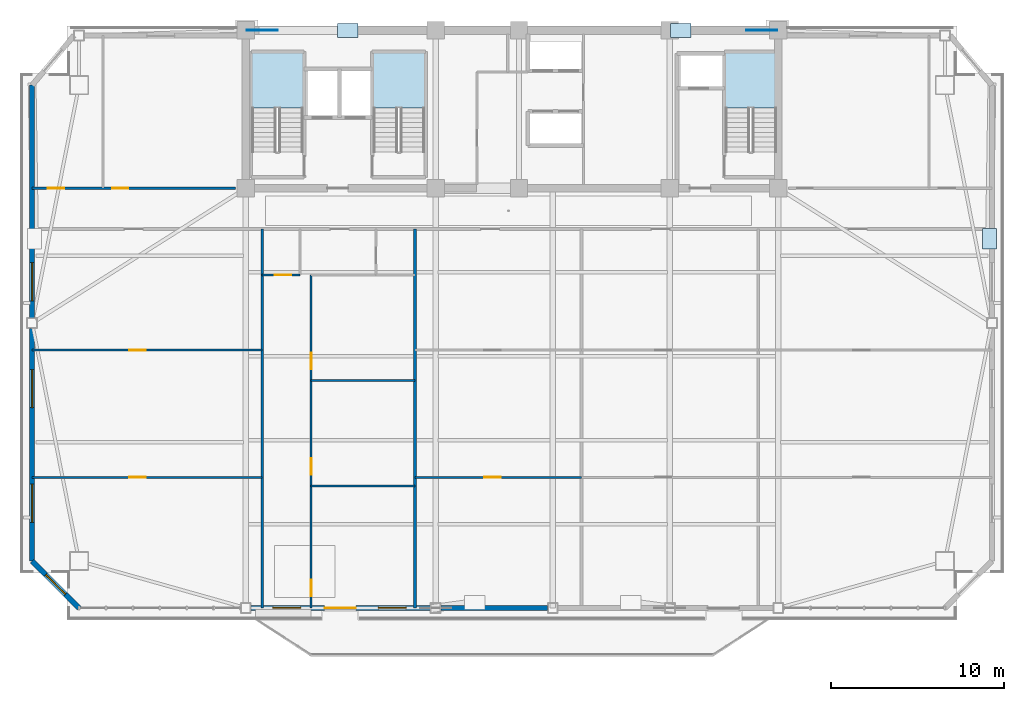
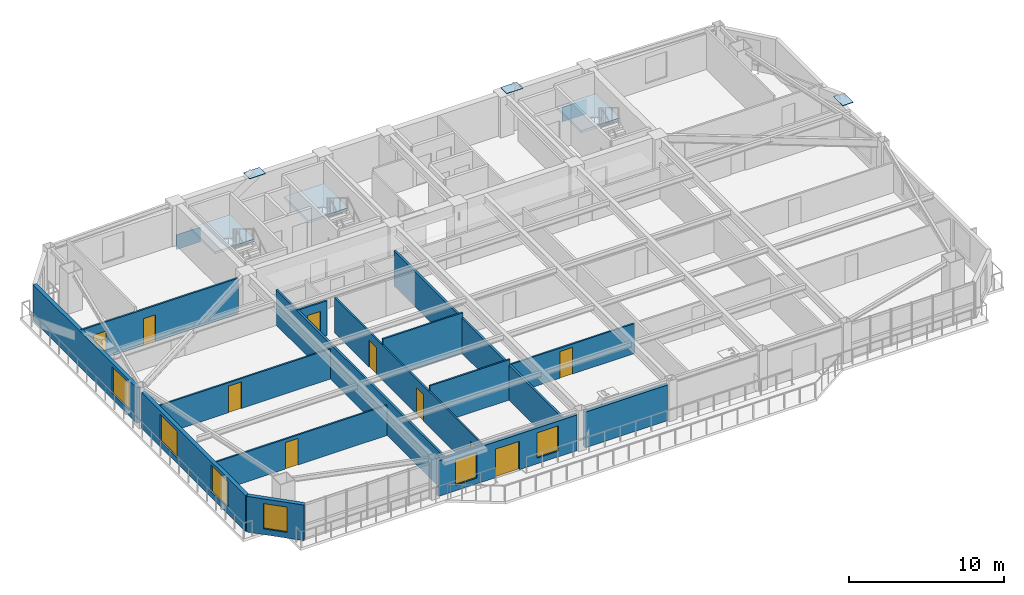
# One storey, part 8 of 16: 15 walls, 10 doors, 6 windows, 5 plates, 3 slabs, 16 openings, 3 elements without a shape of their own.
"""IFC4 building model written with IfcOpenShell, lengths in metres."""

from ifc_helpers import new_model, si_unit, direction, frame, frame_2d, origin, origin_2d, place, context, subcontext, project, spatial, polyline, rectangle, outline, extrude, source, transform, mapped, material, layer, layer_set, type_object, element, fill, aggregate, save


model = new_model("IFC4")

# Units and contexts
model_context = context("Model", 3, precision=1e-05, world=origin(), true_north=direction((0.0, 1.0)))
body_context = subcontext(model_context, "Body", "Model", "MODEL_VIEW")
ifc_project = project(units=[si_unit("LENGTHUNIT", "METRE"), si_unit("AREAUNIT", "SQUARE_METRE"), si_unit("VOLUMEUNIT", "CUBIC_METRE"), si_unit("PLANEANGLEUNIT", "RADIAN"), si_unit("MASSUNIT", "GRAM", prefix="KILO")], contexts=[model_context])

# Site, building, storey
site_placement = place(None, origin())
site = spatial("IfcSite", under=ifc_project, at=site_placement, CompositionType="ELEMENT")
building_placement = place(site_placement, origin())
building = spatial("IfcBuilding", under=site, at=building_placement, Name="Giltprow Tower", CompositionType="ELEMENT")
storey_placement = place(building_placement, frame((0.0, 0.0, 227.0)))
storey = spatial("IfcBuildingStorey", under=building, at=storey_placement, Name="L57", CompositionType="ELEMENT", Elevation=227.0)

# Stair, slab
ifc_material_1 = material(Name="Concrete C40", Category="concrete")
stair_type_1 = type_object("IfcStairType", Name="STR-ST-1", PredefinedType="HALF_TURN_STAIR", material=ifc_material_1)
stair_1_placement = place(storey_placement, origin())
stair_1 = element("IfcStair", 1, at=stair_1_placement, inside=storey, type_object=stair_type_1, Name="L57 Core Exit Stair ST-1", PredefinedType="HALF_TURN_STAIR")
ifc_layer_1 = layer(ifc_material_1, 0.179931640625, Name="Concrete C40")
ifc_layer_set_1 = layer_set([ifc_layer_1], Name="Concrete C40")
slab_type_1 = type_object("IfcSlabType", Name="SLD-ST-1", PredefinedType="LANDING", material=ifc_layer_set_1)
slab_1_placement = place(storey_placement, frame((0.0, 0.0, 1.52001953125)))
slab_1 = element("IfcSlab", 2, at=slab_1_placement, type_object=slab_type_1, Name="ST-1 landing 1", PredefinedType="LANDING", context=body_context, shape_type="SweptSolid", body=[
    extrude(outline(polyline([(23.159912109375, 42.070068359375), (23.159912109375, 45.25), (20.199951171875, 45.25), (20.199951171875, 42.070068359375), (23.159912109375, 42.070068359375)])), origin(), (0.0, 0.0, 1.0), 0.179931640625),
])
aggregate(stair_1, [slab_1])

stair_type_2 = type_object("IfcStairType", Name="STR-ST-2", PredefinedType="HALF_TURN_STAIR", material=ifc_material_1)
stair_2_placement = place(storey_placement, origin())
stair_2 = element("IfcStair", 3, at=stair_2_placement, inside=storey, type_object=stair_type_2, Name="L57 Core Exit Stair ST-2", PredefinedType="HALF_TURN_STAIR")
ifc_layer_2 = layer(ifc_material_1, 0.18798828125, Name="Concrete C40")
ifc_layer_set_2 = layer_set([ifc_layer_2], Name="Concrete C40")
slab_type_2 = type_object("IfcSlabType", Name="SLD-ST-2", PredefinedType="LANDING", material=ifc_layer_set_2)
slab_2_placement = place(storey_placement, frame((0.0, 0.0, 1.511962890625)))
slab_2 = element("IfcSlab", 4, at=slab_2_placement, type_object=slab_type_2, Name="ST-2 landing 1", PredefinedType="LANDING", context=body_context, shape_type="SweptSolid", body=[
    extrude(outline(polyline([(30.159912109375, 42.070068359375), (30.159912109375, 45.25), (27.199951171875, 45.25), (27.199951171875, 42.070068359375), (30.159912109375, 42.070068359375)])), origin(), (0.0, 0.0, 1.0), 0.18798828125),
])
aggregate(stair_2, [slab_2])

stair_type_3 = type_object("IfcStairType", Name="STR-ST-3", PredefinedType="HALF_TURN_STAIR", material=ifc_material_1)
stair_3_placement = place(storey_placement, origin())
stair_3 = element("IfcStair", 5, at=stair_3_placement, inside=storey, type_object=stair_type_3, Name="L57 Core Exit Stair ST-3", PredefinedType="HALF_TURN_STAIR")
ifc_layer_3 = layer(ifc_material_1, 0.196044921875, Name="Concrete C40")
ifc_layer_set_3 = layer_set([ifc_layer_3], Name="Concrete C40")
slab_type_3 = type_object("IfcSlabType", Name="SLD-ST-3", PredefinedType="LANDING", material=ifc_layer_set_3)
slab_3_placement = place(storey_placement, frame((0.0, 0.0, 1.50390625)))
slab_3 = element("IfcSlab", 6, at=slab_3_placement, type_object=slab_type_3, Name="ST-3 landing 1", PredefinedType="LANDING", context=body_context, shape_type="SweptSolid", body=[
    extrude(outline(polyline([(50.4599609375, 42.070068359375), (50.4599609375, 45.25), (47.5, 45.25), (47.5, 42.070068359375), (50.4599609375, 42.070068359375)])), origin(), (0.0, 0.0, 1.0), 0.196044921875),
])
aggregate(stair_3, [slab_3])

# Plates
ifc_material_2 = material(Name="Structural steel Q420GJC", Category="steel")
plate_type_1 = type_object("IfcPlateType", Name="PLT-NODE-MBN1", PredefinedType="USERDEFINED", material=ifc_material_2)
shared_shape_1 = source(origin(), body_context, "Body", "SweptSolid", [
    extrude(rectangle(XDim=1.800048828125, YDim=0.050048828125, at=origin_2d()), origin(), (0.0, 0.0, 1.0), 1.14990234375),
])
for number, where, z_axis, x_axis, name in (
    (7, (20.800048828125, 46.550048828125, -0.71484375), (0.0, 0.0, 1.0), (1.0, 0.0, 0.0), "Mega-Brace Node L57-N-LA"),
    (8, (49.60009765625, 46.550048828125, -0.71484375), (0.0, 0.0, 1.0), (1.0, 0.0, 0.0), "Mega-Brace Node L57-N-RA"),
):
    element("IfcPlate", number, at=place(storey_placement, frame(where, z_axis=z_axis, x_axis=x_axis)), inside=storey, type_object=plate_type_1, Name=name, ObjectType="GUSSET", PredefinedType="USERDEFINED", context=body_context, shape_type="MappedRepresentation", body=[
        mapped(shared_shape_1, transform((0.0, 0.0, 0.0), x_axis=(1.0, 0.0, 0.0), y_axis=(0.0, 1.0, 0.0), z_axis=(0.0, 0.0, 1.0), scale=1.0)),
    ])
plate_type_2 = type_object("IfcPlateType", Name="PLT-CAP-SEAL", PredefinedType="USERDEFINED", material=ifc_material_2)
shared_shape_2 = source(origin(), body_context, "Body", "SweptSolid", [
    extrude(rectangle(XDim=1.199951171875, YDim=0.800048828125, at=origin_2d()), origin(), (0.0, 0.0, 1.0), 0.034912109375),
])
for number, where, z_axis, x_axis, name in (
    (9, (25.73291015625, 46.550048828125, 3.24267578125), (0.0, 0.0, 1.0), (1.0, 0.0, 0.0), "Mega-Brace Node L57-N-LB"),
    (10, (44.93310546875, 46.550048828125, 3.24267578125), (0.0, 0.0, 1.0), (1.0, 0.0, 0.0), "Mega-Brace Node L57-N-RB"),
    (11, (62.72900390625, 34.54296875, 3.38232421875), (0.0, 0.0, 1.0), (0.0, 1.0, 0.0), "Mega-Brace Node L57-E-DB"),
):
    element("IfcPlate", number, at=place(storey_placement, frame(where, z_axis=z_axis, x_axis=x_axis)), inside=storey, type_object=plate_type_2, Name=name, ObjectType="SPLICE", PredefinedType="USERDEFINED", context=body_context, shape_type="MappedRepresentation", body=[
        mapped(shared_shape_2, transform((0.0, 0.0, 0.0), x_axis=(1.0, 0.0, 0.0), y_axis=(0.0, 1.0, 0.0), z_axis=(0.0, 0.0, 1.0), scale=1.0)),
    ])

# Wall, opening, window
ifc_material_3 = material(Name="Precast concrete C40", Category="concrete")
ifc_layer_4 = layer(ifc_material_3, 0.300048828125, Name="Precast concrete C40")
ifc_layer_set_4 = layer_set([ifc_layer_4], Name="Precast concrete C40")
wall_type_1 = type_object("IfcWallType", Name="EW-NOTCH-CHAMFER-300", PredefinedType="SOLIDWALL", material=ifc_layer_set_4)
wall_1_placement = place(storey_placement, frame((7.532958984375, 15.95703125, 0.0), z_axis=(0.0, 0.0, 1.0), x_axis=(0.707106781187, -0.707106781187, 0.0)))
wall_1 = element("IfcWall", 12, at=wall_1_placement, inside=storey, type_object=wall_type_1, Name="L57 Corner Notch Wall SW", PredefinedType="SOLIDWALL", context=body_context, shape_type="SweptSolid", body=[
    extrude(rectangle(XDim=3.828369140625, YDim=0.300048828125, at=frame_2d((1.9140625, 0.0))), origin(), (0.0, 0.0, 1.0), 2.81494140625),
])
opening_1_placement = place(wall_1_placement, frame((1.114013671875, 0.0, 0.449951171875)))
opening_1 = element("IfcOpeningElement", 13, at=opening_1_placement, cuts=wall_1, Name="Opening WN17", PredefinedType="OPENING", context=body_context, shape_type="SweptSolid", body=[
    extrude(rectangle(XDim=1.60009765625, YDim=2.0, at=frame_2d((0.800048828125, 1.0))), frame((0.0, 0.159912109375, 0.0), z_axis=(0.0, -1.0, 0.0), x_axis=(1.0, 0.0, 0.0)), (0.0, 0.0, 1.0), 0.320068359375),
])
ifc_material_4 = material(Name="Insulated glass", Category="glass")
window_type_1 = type_object("IfcWindowType", Name="WN-COR-1600x2000", PartitioningType="SINGLE_PANEL", PredefinedType="WINDOW", material=ifc_material_4)
shared_shape_3 = source(origin(), body_context, "Body", "SweptSolid", [
    extrude(rectangle(XDim=1.60009765625, YDim=2.0, at=frame_2d((0.800048828125, 1.0))), frame((0.0, 0.030029296875, 0.0), z_axis=(0.0, -1.0, 0.0), x_axis=(1.0, 0.0, 0.0)), (0.0, 0.0, 1.0), 0.06005859375),
])
window_1_placement = place(opening_1_placement, origin())
window_1 = element("IfcWindow", 14, at=window_1_placement, inside=storey, type_object=window_type_1, Name="L57 Corner Notch Window SW", OverallHeight=2.0, OverallWidth=1.60009765625, PartitioningType="SINGLE_PANEL", PredefinedType="WINDOW", context=body_context, shape_type="MappedRepresentation", body=[
    mapped(shared_shape_3, transform((0.0, 0.0, 0.0), x_axis=(1.0, 0.0, 0.0), y_axis=(0.0, 1.0, 0.0), z_axis=(0.0, 0.0, 1.0), scale=1.0)),
])
fill(opening_1, window_1)

# Wall, openings, windows, door
ifc_layer_5 = layer(ifc_material_3, 0.280029296875, Name="Precast concrete C40")
ifc_layer_set_5 = layer_set([ifc_layer_5], Name="Precast concrete C40")
wall_type_2 = type_object("IfcWallType", Name="EW-TOW-BRONZE-280", PredefinedType="SOLIDWALL", material=ifc_layer_set_5)
wall_2_placement = place(storey_placement, frame((20.14990234375, 13.25, 0.0), z_axis=(0.0, 0.0, 1.0), x_axis=(1.0, 0.0, 0.0)))
wall_2 = element("IfcWall", 15, at=wall_2_placement, inside=storey, type_object=wall_type_2, Name="L57 South Expressed Frame Wall 2", PredefinedType="SOLIDWALL", context=body_context, shape_type="SweptSolid", body=[
    extrude(rectangle(XDim=10.35009765625, YDim=0.280029296875, at=frame_2d((5.175048828125, 0.0))), origin(), (0.0, 0.0, 1.0), 2.81494140625),
])
opening_2_placement = place(wall_2_placement, frame((4.25, 0.0, 0.0)))
opening_2 = element("IfcOpeningElement", 16, at=opening_2_placement, cuts=wall_2, Name="Opening ED25", PredefinedType="OPENING", context=body_context, shape_type="SweptSolid", body=[
    extrude(rectangle(XDim=1.800048828125, YDim=2.25, at=frame_2d((0.89990234375, 1.125))), frame((0.0, 0.14990234375, 0.0), z_axis=(0.0, -1.0, 0.0), x_axis=(1.0, 0.0, 0.0)), (0.0, 0.0, 1.0), 0.300048828125),
])
opening_3_placement = place(wall_2_placement, frame((1.27001953125, 0.0, 0.449951171875)))
opening_3 = element("IfcOpeningElement", 17, at=opening_3_placement, cuts=wall_2, Name="Opening WN17", PredefinedType="OPENING", context=body_context, shape_type="SweptSolid", body=[
    extrude(rectangle(XDim=1.60009765625, YDim=2.0, at=frame_2d((0.800048828125, 1.0))), frame((0.0, 0.14990234375, 0.0), z_axis=(0.0, -1.0, 0.0), x_axis=(1.0, 0.0, 0.0)), (0.0, 0.0, 1.0), 0.300048828125),
])
opening_4_placement = place(wall_2_placement, frame((7.35009765625, 0.0, 0.449951171875)))
opening_4 = element("IfcOpeningElement", 18, at=opening_4_placement, cuts=wall_2, Name="Opening WN17", PredefinedType="OPENING", context=body_context, shape_type="SweptSolid", body=[
    extrude(rectangle(XDim=1.60009765625, YDim=2.0, at=frame_2d((0.800048828125, 1.0))), frame((0.0, 0.14990234375, 0.0), z_axis=(0.0, -1.0, 0.0), x_axis=(1.0, 0.0, 0.0)), (0.0, 0.0, 1.0), 0.300048828125),
])
window_2_placement = place(opening_3_placement, origin())
window_2 = element("IfcWindow", 19, at=window_2_placement, inside=storey, type_object=window_type_1, Name="L57 South Window 2A", OverallHeight=2.0, OverallWidth=1.60009765625, PartitioningType="SINGLE_PANEL", PredefinedType="WINDOW", context=body_context, shape_type="MappedRepresentation", body=[
    mapped(shared_shape_3, transform((0.0, 0.0, 0.0), x_axis=(1.0, 0.0, 0.0), y_axis=(0.0, 1.0, 0.0), z_axis=(0.0, 0.0, 1.0), scale=1.0)),
])
fill(opening_3, window_2)
window_3_placement = place(opening_4_placement, origin())
window_3 = element("IfcWindow", 20, at=window_3_placement, inside=storey, type_object=window_type_1, Name="L57 South Window 2B", OverallHeight=2.0, OverallWidth=1.60009765625, PartitioningType="SINGLE_PANEL", PredefinedType="WINDOW", context=body_context, shape_type="MappedRepresentation", body=[
    mapped(shared_shape_3, transform((0.0, 0.0, 0.0), x_axis=(1.0, 0.0, 0.0), y_axis=(0.0, 1.0, 0.0), z_axis=(0.0, 0.0, 1.0), scale=1.0)),
])
fill(opening_4, window_3)
ifc_material_5 = material(Name="Anodized bronze and glass", Category="glass")
door_type_1 = type_object("IfcDoorType", Name="DR-BALC-SLIDE-1800", OperationType="SLIDING_TO_LEFT", PredefinedType="DOOR", material=ifc_material_5)
shared_shape_4 = source(origin(), body_context, "Body", "SweptSolid", [
    extrude(rectangle(XDim=1.800048828125, YDim=2.25, at=frame_2d((0.89990234375, 1.125))), frame((0.0, 0.02490234375, 0.0), z_axis=(0.0, -1.0, 0.0), x_axis=(1.0, 0.0, 0.0)), (0.0, 0.0, 1.0), 0.050048828125),
])
door_1_placement = place(opening_2_placement, origin())
door_1 = element("IfcDoor", 21, at=door_1_placement, inside=storey, type_object=door_type_1, Name="L57 Waterfront Balcony Sliding Door 1", OperationType="SLIDING_TO_LEFT", OverallHeight=2.25, OverallWidth=1.800048828125, PredefinedType="DOOR", context=body_context, shape_type="MappedRepresentation", body=[
    mapped(shared_shape_4, transform((0.0, 0.0, 0.0), x_axis=(1.0, 0.0, 0.0), y_axis=(0.0, 1.0, 0.0), z_axis=(0.0, 0.0, 1.0), scale=1.0)),
])
fill(opening_2, door_1)

# Wall
wall_3_placement = place(storey_placement, frame((31.10009765625, 13.25, 0.0), z_axis=(0.0, 0.0, 1.0), x_axis=(1.0, 0.0, 0.0)))
element("IfcWall", 22, at=wall_3_placement, inside=storey, type_object=wall_type_2, Name="L57 South Expressed Frame Wall 3", PredefinedType="SOLIDWALL", context=body_context, shape_type="SweptSolid", body=[
    extrude(rectangle(XDim=6.14990234375, YDim=0.280029296875, at=frame_2d((3.074951171875, 0.0))), origin(), (0.0, 0.0, 1.0), 2.81494140625),
])

# Wall, openings, windows
wall_4_placement = place(storey_placement, frame((7.532958984375, 15.95703125, 0.0), z_axis=(0.0, 0.0, 1.0), x_axis=(0.0, 1.0, 0.0)))
wall_4 = element("IfcWall", 23, at=wall_4_placement, inside=storey, type_object=wall_type_2, Name="L57 W Wing Masonry Wall 1", PredefinedType="SOLIDWALL", context=body_context, shape_type="SweptSolid", body=[
    extrude(rectangle(XDim=13.41796875, YDim=0.280029296875, at=frame_2d((6.708984375, 0.0))), origin(), (0.0, 0.0, 1.0), 2.81494140625),
])
opening_5_placement = place(wall_4_placement, frame((2.22705078125, 0.0, 0.449951171875)))
opening_5 = element("IfcOpeningElement", 24, at=opening_5_placement, cuts=wall_4, Name="Opening WN27", PredefinedType="OPENING", context=body_context, shape_type="SweptSolid", body=[
    extrude(rectangle(XDim=2.199951171875, YDim=2.10009765625, at=frame_2d((1.10009765625, 1.050048828125))), frame((0.0, 0.14990234375, 0.0), z_axis=(0.0, -1.0, 0.0), x_axis=(1.0, 0.0, 0.0)), (0.0, 0.0, 1.0), 0.300048828125),
])
opening_6_placement = place(wall_4_placement, frame((8.837890625, 0.0, 0.449951171875)))
opening_6 = element("IfcOpeningElement", 25, at=opening_6_placement, cuts=wall_4, Name="Opening WN27", PredefinedType="OPENING", context=body_context, shape_type="SweptSolid", body=[
    extrude(rectangle(XDim=2.199951171875, YDim=2.10009765625, at=frame_2d((1.10009765625, 1.050048828125))), frame((0.0, 0.14990234375, 0.0), z_axis=(0.0, -1.0, 0.0), x_axis=(1.0, 0.0, 0.0)), (0.0, 0.0, 1.0), 0.300048828125),
])
window_type_2 = type_object("IfcWindowType", Name="WN-RES-2200x2100", PartitioningType="TRIPLE_PANEL_VERTICAL", PredefinedType="WINDOW", material=ifc_material_4)
shared_shape_5 = source(origin(), body_context, "Body", "SweptSolid", [
    extrude(rectangle(XDim=2.199951171875, YDim=2.10009765625, at=frame_2d((1.10009765625, 1.050048828125))), frame((0.0, 0.030029296875, 0.0), z_axis=(0.0, -1.0, 0.0), x_axis=(1.0, 0.0, 0.0)), (0.0, 0.0, 1.0), 0.06005859375),
])
window_4_placement = place(opening_5_placement, origin())
window_4 = element("IfcWindow", 26, at=window_4_placement, inside=storey, type_object=window_type_2, Name="L57 W Wing Window 1-1A", OverallHeight=2.10009765625, OverallWidth=2.199951171875, PartitioningType="SINGLE_PANEL", PredefinedType="WINDOW", context=body_context, shape_type="MappedRepresentation", body=[
    mapped(shared_shape_5, transform((0.0, 0.0, 0.0), x_axis=(1.0, 0.0, 0.0), y_axis=(0.0, 1.0, 0.0), z_axis=(0.0, 0.0, 1.0), scale=1.0)),
])
fill(opening_5, window_4)
window_5_placement = place(opening_6_placement, origin())
window_5 = element("IfcWindow", 27, at=window_5_placement, inside=storey, type_object=window_type_2, Name="L57 W Wing Window 1-1B", OverallHeight=2.10009765625, OverallWidth=2.199951171875, PartitioningType="SINGLE_PANEL", PredefinedType="WINDOW", context=body_context, shape_type="MappedRepresentation", body=[
    mapped(shared_shape_5, transform((0.0, 0.0, 0.0), x_axis=(1.0, 0.0, 0.0), y_axis=(0.0, 1.0, 0.0), z_axis=(0.0, 0.0, 1.0), scale=1.0)),
])
fill(opening_6, window_5)

# Wall, opening, window
wall_5_placement = place(storey_placement, frame((7.532958984375, 29.97509765625, 0.0), z_axis=(0.0, 0.0, 1.0), x_axis=(0.0, 1.0, 0.0)))
wall_5 = element("IfcWall", 28, at=wall_5_placement, inside=storey, type_object=wall_type_2, Name="L57 W Wing Masonry Wall 2", PredefinedType="SOLIDWALL", context=body_context, shape_type="SweptSolid", body=[
    extrude(rectangle(XDim=13.41796875, YDim=0.280029296875, at=frame_2d((6.708984375, 0.0))), origin(), (0.0, 0.0, 1.0), 2.81494140625),
])
opening_7_placement = place(wall_5_placement, frame((0.98388671875, 0.0, 0.449951171875)))
opening_7 = element("IfcOpeningElement", 29, at=opening_7_placement, cuts=wall_5, Name="Opening WN27", PredefinedType="OPENING", context=body_context, shape_type="SweptSolid", body=[
    extrude(rectangle(XDim=2.199951171875, YDim=2.10009765625, at=frame_2d((1.10009765625, 1.050048828125))), frame((0.0, 0.14990234375, 0.0), z_axis=(0.0, -1.0, 0.0), x_axis=(1.0, 0.0, 0.0)), (0.0, 0.0, 1.0), 0.300048828125),
])
window_6_placement = place(opening_7_placement, origin())
window_6 = element("IfcWindow", 30, at=window_6_placement, inside=storey, type_object=window_type_2, Name="L57 W Wing Window 2-1", OverallHeight=2.10009765625, OverallWidth=2.199951171875, PartitioningType="SINGLE_PANEL", PredefinedType="WINDOW", context=body_context, shape_type="MappedRepresentation", body=[
    mapped(shared_shape_5, transform((0.0, 0.0, 0.0), x_axis=(1.0, 0.0, 0.0), y_axis=(0.0, 1.0, 0.0), z_axis=(0.0, 0.0, 1.0), scale=1.0)),
])
fill(opening_7, window_6)

# Walls
ifc_material_6 = material(Name="Gypsum stud partition", Category="gypsum")
ifc_layer_6 = layer(ifc_material_6, 0.159912109375, Name="Gypsum stud partition")
ifc_layer_set_6 = layer_set([ifc_layer_6], Name="Gypsum stud partition")
wall_type_3 = type_object("IfcWallType", Name="IW-DEMISE-160", PredefinedType="PARTITIONING", material=ifc_layer_set_6)
for number, where, z_axis, x_axis, name in (
    (31, (20.800048828125, 13.25, 0.0), (0.0, 0.0, 1.0), (0.0, 1.0, 0.0), "L57 Apartment Party Wall 1"),
    (32, (29.60009765625, 13.25, 0.0), (0.0, 0.0, 1.0), (0.0, 1.0, 0.0), "L57 Apartment Party Wall 2"),
):
    element("IfcWall", number, at=place(storey_placement, frame(where, z_axis=z_axis, x_axis=x_axis)), inside=storey, type_object=wall_type_3, Name=name, PredefinedType="PARTITIONING", context=body_context, shape_type="SweptSolid", body=[
        extrude(rectangle(XDim=21.85009765625, YDim=0.159912109375, at=frame_2d((10.925048828125, 0.0))), origin(), (0.0, 0.0, 1.0), 2.77001953125),
    ])

# Wall, opening, door
ifc_layer_7 = layer(ifc_material_6, 0.1201171875, Name="Gypsum stud partition")
ifc_layer_set_7 = layer_set([ifc_layer_7], Name="Gypsum stud partition")
wall_type_4 = type_object("IfcWallType", Name="IW-ROOM-120", PredefinedType="PARTITIONING", material=ifc_layer_set_7)
wall_6_placement = place(storey_placement, frame((7.532958984375, 20.783935546875, 0.0), z_axis=(0.0, 0.0, 1.0), x_axis=(1.0, 0.0, 0.0)))
wall_6 = element("IfcWall", 33, at=wall_6_placement, inside=storey, type_object=wall_type_4, Name="L57 Special Split 1", PredefinedType="PARTITIONING", context=body_context, shape_type="SweptSolid", body=[
    extrude(rectangle(XDim=13.26708984375, YDim=0.1201171875, at=frame_2d((6.633544921875, 0.0))), origin(), (0.0, 0.0, 1.0), 2.3701171875),
])
opening_8_placement = place(wall_6_placement, frame((5.593017578125, 0.0, 0.0)))
opening_8 = element("IfcOpeningElement", 34, at=opening_8_placement, cuts=wall_6, Name="Opening ID11", PredefinedType="OPENING", context=body_context, shape_type="SweptSolid", body=[
    extrude(rectangle(XDim=0.949951171875, YDim=2.10009765625, at=frame_2d((0.47509765625, 1.050048828125))), frame((0.0, 0.070068359375, 0.0), z_axis=(0.0, -1.0, 0.0), x_axis=(1.0, 0.0, 0.0)), (0.0, 0.0, 1.0), 0.14013671875),
])
ifc_material_7 = material(Name="Engineered timber", Category="wood")
door_type_2 = type_object("IfcDoorType", Name="DR-ROOM-950", OperationType="SINGLE_SWING_RIGHT", PredefinedType="DOOR", material=ifc_material_7)
shared_shape_6 = source(origin(), body_context, "Body", "SweptSolid", [
    extrude(rectangle(XDim=0.949951171875, YDim=2.10009765625, at=frame_2d((0.47509765625, 1.050048828125))), frame((0.0, 0.02490234375, 0.0), z_axis=(0.0, -1.0, 0.0), x_axis=(1.0, 0.0, 0.0)), (0.0, 0.0, 1.0), 0.050048828125),
])
door_2_placement = place(opening_8_placement, origin())
door_2 = element("IfcDoor", 35, at=door_2_placement, inside=storey, type_object=door_type_2, Name="L57 Harbour Lounge Salon South Door", OperationType="SINGLE_SWING_RIGHT", OverallHeight=2.10009765625, OverallWidth=0.949951171875, PredefinedType="DOOR", context=body_context, shape_type="MappedRepresentation", body=[
    mapped(shared_shape_6, transform((0.0, 0.0, 0.0), x_axis=(1.0, 0.0, 0.0), y_axis=(0.0, 1.0, 0.0), z_axis=(0.0, 0.0, 1.0), scale=1.0)),
])
fill(opening_8, door_2)

wall_7_placement = place(storey_placement, frame((7.532958984375, 28.117919921875, 0.0), z_axis=(0.0, 0.0, 1.0), x_axis=(1.0, 0.0, 0.0)))
wall_7 = element("IfcWall", 36, at=wall_7_placement, inside=storey, type_object=wall_type_4, Name="L57 Special Split 2", PredefinedType="PARTITIONING", context=body_context, shape_type="SweptSolid", body=[
    extrude(rectangle(XDim=13.26708984375, YDim=0.1201171875, at=frame_2d((6.633544921875, 0.0))), origin(), (0.0, 0.0, 1.0), 2.3701171875),
])
opening_9_placement = place(wall_7_placement, frame((5.593017578125, 0.0, 0.0)))
opening_9 = element("IfcOpeningElement", 37, at=opening_9_placement, cuts=wall_7, Name="Opening ID11", PredefinedType="OPENING", context=body_context, shape_type="SweptSolid", body=[
    extrude(rectangle(XDim=0.949951171875, YDim=2.10009765625, at=frame_2d((0.47509765625, 1.050048828125))), frame((0.0, 0.070068359375, 0.0), z_axis=(0.0, -1.0, 0.0), x_axis=(1.0, 0.0, 0.0)), (0.0, 0.0, 1.0), 0.14013671875),
])
door_3_placement = place(opening_9_placement, origin())
door_3 = element("IfcDoor", 38, at=door_3_placement, inside=storey, type_object=door_type_2, Name="L57 Harbour Lounge Salon Mid Door", OperationType="SINGLE_SWING_LEFT", OverallHeight=2.10009765625, OverallWidth=0.949951171875, PredefinedType="DOOR", context=body_context, shape_type="MappedRepresentation", body=[
    mapped(shared_shape_6, transform((0.0, 0.0, 0.0), x_axis=(1.0, 0.0, 0.0), y_axis=(0.0, 1.0, 0.0), z_axis=(0.0, 0.0, 1.0), scale=1.0)),
])
fill(opening_9, door_3)

# Wall, openings, doors
wall_8_placement = place(storey_placement, frame((23.6201171875, 13.25, 0.0), z_axis=(0.0, 0.0, 1.0), x_axis=(0.0, 1.0, 0.0)))
wall_8 = element("IfcWall", 39, at=wall_8_placement, inside=storey, type_object=wall_type_4, Name="L57 Unit 1 Bedroom Wall", PredefinedType="PARTITIONING", context=body_context, shape_type="SweptSolid", body=[
    extrude(rectangle(XDim=19.199951171875, YDim=0.1201171875, at=frame_2d((9.60009765625, 0.0))), origin(), (0.0, 0.0, 1.0), 2.77001953125),
])
opening_10_placement = place(wall_8_placement, frame((0.669921875, 0.0, 0.0)))
opening_10 = element("IfcOpeningElement", 40, at=opening_10_placement, cuts=wall_8, Name="Opening ID11", PredefinedType="OPENING", context=body_context, shape_type="SweptSolid", body=[
    extrude(rectangle(XDim=0.949951171875, YDim=2.10009765625, at=frame_2d((0.47509765625, 1.050048828125))), frame((0.0, 0.070068359375, 0.0), z_axis=(0.0, -1.0, 0.0), x_axis=(1.0, 0.0, 0.0)), (0.0, 0.0, 1.0), 0.14013671875),
])
opening_11_placement = place(wall_8_placement, frame((7.679931640625, 0.0, 0.0)))
opening_11 = element("IfcOpeningElement", 41, at=opening_11_placement, cuts=wall_8, Name="Opening ID11", PredefinedType="OPENING", context=body_context, shape_type="SweptSolid", body=[
    extrude(rectangle(XDim=0.949951171875, YDim=2.10009765625, at=frame_2d((0.47509765625, 1.050048828125))), frame((0.0, 0.070068359375, 0.0), z_axis=(0.0, -1.0, 0.0), x_axis=(1.0, 0.0, 0.0)), (0.0, 0.0, 1.0), 0.14013671875),
])
opening_12_placement = place(wall_8_placement, frame((13.760009765625, 0.0, 0.0)))
opening_12 = element("IfcOpeningElement", 42, at=opening_12_placement, cuts=wall_8, Name="Opening ID11", PredefinedType="OPENING", context=body_context, shape_type="SweptSolid", body=[
    extrude(rectangle(XDim=0.949951171875, YDim=2.10009765625, at=frame_2d((0.47509765625, 1.050048828125))), frame((0.0, 0.070068359375, 0.0), z_axis=(0.0, -1.0, 0.0), x_axis=(1.0, 0.0, 0.0)), (0.0, 0.0, 1.0), 0.14013671875),
])
door_4_placement = place(opening_10_placement, origin())
door_4 = element("IfcDoor", 43, at=door_4_placement, inside=storey, type_object=door_type_2, Name="L57 Unit 1 Primary Bedroom Door", OperationType="SINGLE_SWING_RIGHT", OverallHeight=2.10009765625, OverallWidth=0.949951171875, PredefinedType="DOOR", context=body_context, shape_type="MappedRepresentation", body=[
    mapped(shared_shape_6, transform((0.0, 0.0, 0.0), x_axis=(1.0, 0.0, 0.0), y_axis=(0.0, 1.0, 0.0), z_axis=(0.0, 0.0, 1.0), scale=1.0)),
])
fill(opening_10, door_4)
door_5_placement = place(opening_11_placement, origin())
door_5 = element("IfcDoor", 44, at=door_5_placement, inside=storey, type_object=door_type_2, Name="L57 Unit 1 Second Bedroom Door", OperationType="SINGLE_SWING_LEFT", OverallHeight=2.10009765625, OverallWidth=0.949951171875, PredefinedType="DOOR", context=body_context, shape_type="MappedRepresentation", body=[
    mapped(shared_shape_6, transform((0.0, 0.0, 0.0), x_axis=(1.0, 0.0, 0.0), y_axis=(0.0, 1.0, 0.0), z_axis=(0.0, 0.0, 1.0), scale=1.0)),
])
fill(opening_11, door_5)
door_6_placement = place(opening_12_placement, origin())
door_6 = element("IfcDoor", 45, at=door_6_placement, inside=storey, type_object=door_type_2, Name="L57 Unit 1 Third Bedroom Door", OperationType="SINGLE_SWING_RIGHT", OverallHeight=2.10009765625, OverallWidth=0.949951171875, PredefinedType="DOOR", context=body_context, shape_type="MappedRepresentation", body=[
    mapped(shared_shape_6, transform((0.0, 0.0, 0.0), x_axis=(1.0, 0.0, 0.0), y_axis=(0.0, 1.0, 0.0), z_axis=(0.0, 0.0, 1.0), scale=1.0)),
])
fill(opening_12, door_6)

# Walls
for number, where, z_axis, x_axis, name in (
    (46, (23.6201171875, 20.2900390625, 0.0), (0.0, 0.0, 1.0), (1.0, 0.0, 0.0), "L57 Unit 1 Bedroom Split 1"),
    (47, (23.6201171875, 26.3701171875, 0.0), (0.0, 0.0, 1.0), (1.0, 0.0, 0.0), "L57 Unit 1 Bedroom Split 2"),
):
    element("IfcWall", number, at=place(storey_placement, frame(where, z_axis=z_axis, x_axis=x_axis)), inside=storey, type_object=wall_type_4, Name=name, PredefinedType="PARTITIONING", context=body_context, shape_type="SweptSolid", body=[
        extrude(rectangle(XDim=5.97998046875, YDim=0.1201171875, at=frame_2d((2.989990234375, 0.0))), origin(), (0.0, 0.0, 1.0), 3.18505859375),
    ])

# Wall, opening, door
wall_9_placement = place(storey_placement, frame((29.60009765625, 20.783935546875, 0.0), z_axis=(0.0, 0.0, 1.0), x_axis=(1.0, 0.0, 0.0)))
wall_9 = element("IfcWall", 48, at=wall_9_placement, inside=storey, type_object=wall_type_4, Name="L57 Special Split 1", PredefinedType="PARTITIONING", context=body_context, shape_type="SweptSolid", body=[
    extrude(rectangle(XDim=9.599853515625, YDim=0.1201171875, at=frame_2d((4.7998046875, 0.0))), origin(), (0.0, 0.0, 1.0), 2.3701171875),
])
opening_13_placement = place(wall_9_placement, frame((4.006103515625, 0.0, 0.0)))
opening_13 = element("IfcOpeningElement", 49, at=opening_13_placement, cuts=wall_9, Name="Opening ID11", PredefinedType="OPENING", context=body_context, shape_type="SweptSolid", body=[
    extrude(rectangle(XDim=0.949951171875, YDim=2.10009765625, at=frame_2d((0.47509765625, 1.050048828125))), frame((0.0, 0.070068359375, 0.0), z_axis=(0.0, -1.0, 0.0), x_axis=(1.0, 0.0, 0.0)), (0.0, 0.0, 1.0), 0.14013671875),
])
door_7_placement = place(opening_13_placement, origin())
door_7 = element("IfcDoor", 50, at=door_7_placement, inside=storey, type_object=door_type_2, Name="L57 Residents Sky Club Lounge South Door", OperationType="SINGLE_SWING_LEFT", OverallHeight=2.10009765625, OverallWidth=0.949951171875, PredefinedType="DOOR", context=body_context, shape_type="MappedRepresentation", body=[
    mapped(shared_shape_6, transform((0.0, 0.0, 0.0), x_axis=(1.0, 0.0, 0.0), y_axis=(0.0, 1.0, 0.0), z_axis=(0.0, 0.0, 1.0), scale=1.0)),
])
fill(opening_13, door_7)

ifc_material_8 = material(Name="Concrete C30", Category="concrete")
ifc_layer_8 = layer(ifc_material_8, 0.1298828125, Name="Concrete C30")
ifc_layer_set_8 = layer_set([ifc_layer_8], Name="Concrete C30")
wall_type_5 = type_object("IfcWallType", Name="IW-WET-130", PredefinedType="PARTITIONING", material=ifc_layer_set_8)
wall_10_placement = place(storey_placement, frame((20.800048828125, 32.449951171875, 0.0), z_axis=(0.0, 0.0, 1.0), x_axis=(1.0, 0.0, 0.0)))
wall_10 = element("IfcWall", 51, at=wall_10_placement, inside=storey, type_object=wall_type_5, Name="L57 Unit 1 Kitchen South Wall", PredefinedType="PARTITIONING", context=body_context, shape_type="SweptSolid", body=[
    extrude(rectangle(XDim=2.169921875, YDim=0.1298828125, at=frame_2d((1.0849609375, 0.0))), origin(), (0.0, 0.0, 1.0), 2.77001953125),
])
opening_14_placement = place(wall_10_placement, frame((0.72998046875, 0.0, 0.0)))
opening_14 = element("IfcOpeningElement", 52, at=opening_14_placement, cuts=wall_10, Name="Opening ID11", PredefinedType="OPENING", context=body_context, shape_type="SweptSolid", body=[
    extrude(rectangle(XDim=0.949951171875, YDim=2.10009765625, at=frame_2d((0.47509765625, 1.050048828125))), frame((0.0, 0.074951171875, 0.0), z_axis=(0.0, -1.0, 0.0), x_axis=(1.0, 0.0, 0.0)), (0.0, 0.0, 1.0), 0.14990234375),
])
door_8_placement = place(opening_14_placement, origin())
door_8 = element("IfcDoor", 53, at=door_8_placement, inside=storey, type_object=door_type_2, Name="L57 Unit 1 Kitchen Door", OperationType="SINGLE_SWING_RIGHT", OverallHeight=2.10009765625, OverallWidth=0.949951171875, PredefinedType="DOOR", context=body_context, shape_type="MappedRepresentation", body=[
    mapped(shared_shape_6, transform((0.0, 0.0, 0.0), x_axis=(1.0, 0.0, 0.0), y_axis=(0.0, 1.0, 0.0), z_axis=(0.0, 0.0, 1.0), scale=1.0)),
])
fill(opening_14, door_8)

# Wall, openings, doors
wall_11_placement = place(storey_placement, frame((7.532958984375, 37.449951171875, 0.0), z_axis=(0.0, 0.0, 1.0), x_axis=(1.0, 0.0, 0.0)))
wall_11 = element("IfcWall", 54, at=wall_11_placement, inside=storey, type_object=wall_type_5, Name="L57 NW Wing South Wall", PredefinedType="PARTITIONING", context=body_context, shape_type="SweptSolid", body=[
    extrude(rectangle(XDim=11.717041015625, YDim=0.1298828125, at=frame_2d((5.8583984375, 0.0))), origin(), (0.0, 0.0, 1.0), 2.820068359375),
])
opening_15_placement = place(wall_11_placement, frame((0.89990234375, 0.0, 0.0)))
opening_15 = element("IfcOpeningElement", 55, at=opening_15_placement, cuts=wall_11, Name="Opening ID11", PredefinedType="OPENING", context=body_context, shape_type="SweptSolid", body=[
    extrude(rectangle(XDim=0.949951171875, YDim=2.10009765625, at=frame_2d((0.47509765625, 1.050048828125))), frame((0.0, 0.074951171875, 0.0), z_axis=(0.0, -1.0, 0.0), x_axis=(1.0, 0.0, 0.0)), (0.0, 0.0, 1.0), 0.14990234375),
])
opening_16_placement = place(wall_11_placement, frame((4.632080078125, 0.0, 0.0)))
opening_16 = element("IfcOpeningElement", 56, at=opening_16_placement, cuts=wall_11, Name="Opening ID15", PredefinedType="OPENING", context=body_context, shape_type="SweptSolid", body=[
    extrude(rectangle(XDim=0.89990234375, YDim=2.10009765625, at=frame_2d((0.449951171875, 1.050048828125))), frame((0.0, 0.074951171875, 0.0), z_axis=(0.0, -1.0, 0.0), x_axis=(1.0, 0.0, 0.0)), (0.0, 0.0, 1.0), 0.14990234375),
])
door_type_3 = type_object("IfcDoorType", Name="DR-WC-900", OperationType="SINGLE_SWING_LEFT", PredefinedType="DOOR", material=ifc_material_7)
shared_shape_7 = source(origin(), body_context, "Body", "SweptSolid", [
    extrude(rectangle(XDim=0.89990234375, YDim=2.10009765625, at=frame_2d((0.449951171875, 1.050048828125))), frame((0.0, 0.02490234375, 0.0), z_axis=(0.0, -1.0, 0.0), x_axis=(1.0, 0.0, 0.0)), (0.0, 0.0, 1.0), 0.050048828125),
])
door_9_placement = place(opening_16_placement, origin())
door_9 = element("IfcDoor", 57, at=door_9_placement, inside=storey, type_object=door_type_3, Name="L57 NW Washroom Door", OperationType="SINGLE_SWING_LEFT", OverallHeight=2.10009765625, OverallWidth=0.89990234375, PredefinedType="DOOR", context=body_context, shape_type="MappedRepresentation", body=[
    mapped(shared_shape_7, transform((0.0, 0.0, 0.0), x_axis=(1.0, 0.0, 0.0), y_axis=(0.0, 1.0, 0.0), z_axis=(0.0, 0.0, 1.0), scale=1.0)),
])
fill(opening_16, door_9)
door_10_placement = place(opening_15_placement, origin())
door_10 = element("IfcDoor", 58, at=door_10_placement, inside=storey, type_object=door_type_2, Name="L57 Residents Study Office West Door", OperationType="SINGLE_SWING_RIGHT", OverallHeight=2.10009765625, OverallWidth=0.949951171875, PredefinedType="DOOR", context=body_context, shape_type="MappedRepresentation", body=[
    mapped(shared_shape_6, transform((0.0, 0.0, 0.0), x_axis=(1.0, 0.0, 0.0), y_axis=(0.0, 1.0, 0.0), z_axis=(0.0, 0.0, 1.0), scale=1.0)),
])
fill(opening_15, door_10)

save(model, "model.ifc")
